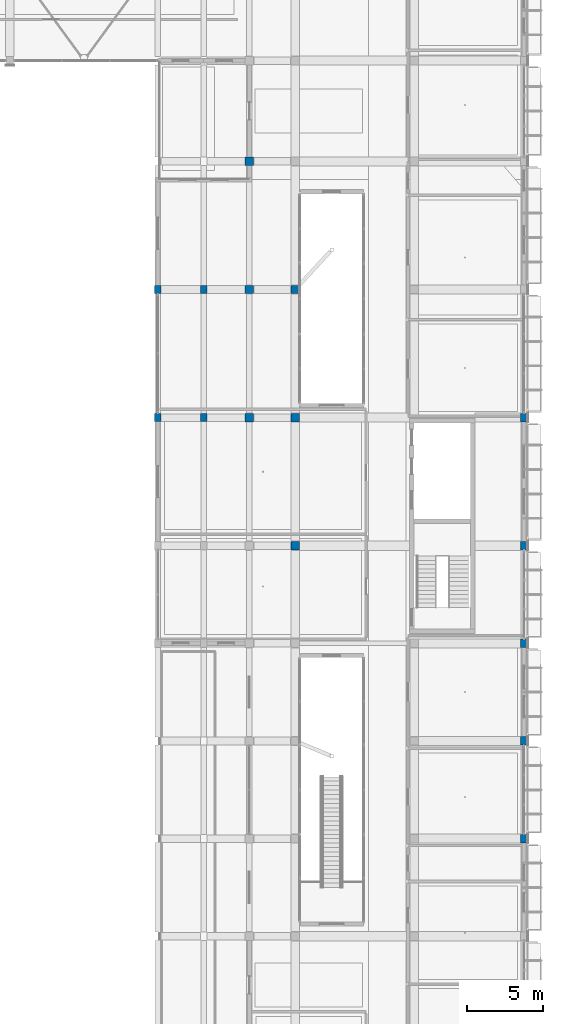
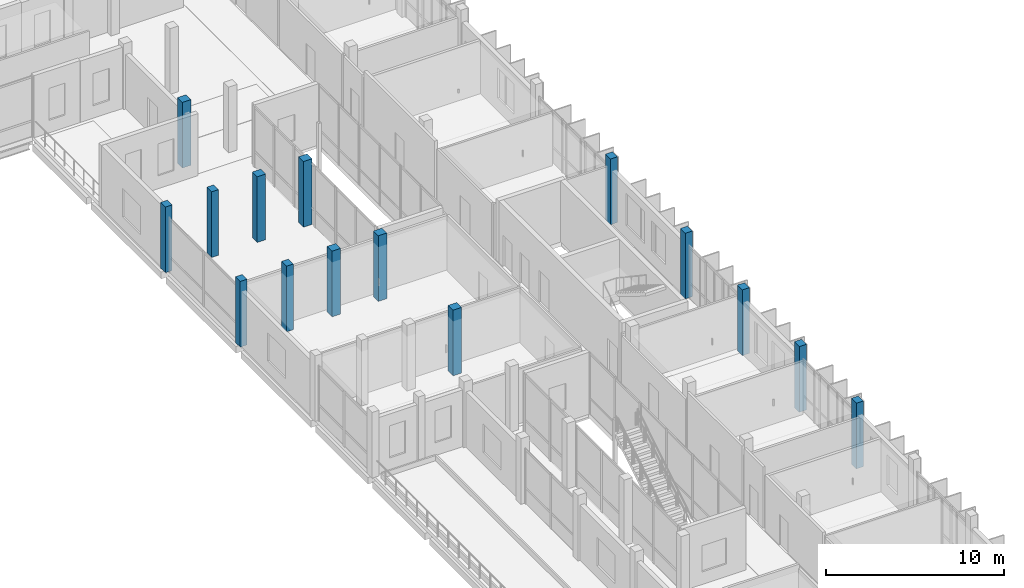
# One storey, part 15 of 95: 15 columns.
"""IFC4 building model written with IfcOpenShell, lengths in metres."""

import ifcopenshell
import ifcopenshell.guid

model = None  # the IFC model being written
_history = None  # IfcOwnerHistory: only IFC2X3 demands one
_inside = {}  # id of a spatial element -> (the spatial element, [elements in it])
_under = {}  # id of a project, library or spatial element -> (it, [spatial elements below it])
_declared = {}  # id of a project -> (the project, [libraries it declares])
_typed = {}  # id of a type object -> (the type object, [elements of that type])
_made_of = {}  # id of a material, layer set ... -> (it, [elements and type objects made of it])


def new_model(schema):
    """Start an empty IFC model of exactly this schema.

    Asked for "IFC4X3", IfcOpenShell would pick the latest addendum, in which some entities
    have other attributes; the version numbers below select the first issue.
    IFC2X3 requires an IfcOwnerHistory on every rooted entity: one is made here for all.
    """
    global model, _history
    if schema == "IFC4X3":
        model = ifcopenshell.file(schema_version=(4, 3, 0, 0))
    else:
        model = ifcopenshell.file(schema=schema)
    _inside.clear()
    _under.clear()
    _declared.clear()
    _typed.clear()
    _made_of.clear()
    _history = None
    if model.schema == "IFC2X3":
        org = make("IfcOrganization", Name="unknown")
        user = make(
            "IfcPersonAndOrganization",
            ThePerson=make("IfcPerson", FamilyName="unknown"),
            TheOrganization=org,
        )
        app = make(
            "IfcApplication",
            ApplicationDeveloper=org,
            Version="unknown",
            ApplicationFullName="unknown",
            ApplicationIdentifier="unknown",
        )
        _history = make(
            "IfcOwnerHistory",
            OwningUser=user,
            OwningApplication=app,
            ChangeAction="ADDED",
            CreationDate=0,
        )
    return model


def make(cls, **values):
    """One entity of the class cls with the attributes given. An attribute that is None is left unset."""
    return model.create_entity(
        cls, **{name: value for name, value in values.items() if value is not None}
    )


def rooted(cls, **values):
    """An entity with a GlobalId (a new one), such as an element, a storey or a relation."""
    return make(cls, GlobalId=ifcopenshell.guid.new(), OwnerHistory=_history, **values)


def si_unit(unit_type, name, prefix=None):
    """IfcSIUnit, for example si_unit("LENGTHUNIT", "METRE", prefix="MILLI")."""
    return make("IfcSIUnit", UnitType=unit_type, Prefix=prefix, Name=name)


def derived_unit(unit_type, elements):
    """IfcDerivedUnit: a product of units, each with its exponent."""
    return make(
        "IfcDerivedUnit",
        Elements=[
            make("IfcDerivedUnitElement", Unit=unit, Exponent=power)
            for unit, power in elements
        ],
        UnitType=unit_type,
    )


def assignment(units):
    """IfcUnitAssignment: the units of a project."""
    return None if units is None else make("IfcUnitAssignment", Units=units)


def point(xyz):
    """IfcCartesianPoint."""
    return None if xyz is None else make("IfcCartesianPoint", Coordinates=xyz)


def direction(xyz):
    """IfcDirection."""
    return None if xyz is None else make("IfcDirection", DirectionRatios=xyz)


def frame(location, z_axis=None, x_axis=None):
    """IfcAxis2Placement3D, a coordinate frame: its origin and axes. An axis left out is left unset."""
    return make(
        "IfcAxis2Placement3D",
        Location=point(location),
        Axis=direction(z_axis),
        RefDirection=direction(x_axis),
    )


def frame_2d(location, x_axis=None):
    """IfcAxis2Placement2D, a coordinate frame in the plane: its origin and x axis."""
    return make(
        "IfcAxis2Placement2D", Location=point(location), RefDirection=direction(x_axis)
    )


def origin():
    """The frame at (0, 0, 0) with its axes left unset."""
    return frame((0.0, 0.0, 0.0))


def origin_2d():
    """The frame at (0, 0) in the plane with its x axis left unset."""
    return frame_2d((0.0, 0.0))


def place(relative_to, where):
    """IfcLocalPlacement: puts the frame where relative to a parent placement (None: the world)."""
    return make(
        "IfcLocalPlacement", PlacementRelTo=relative_to, RelativePlacement=where
    )


def context(
    kind, dimensions, precision=None, world=None, true_north=None, identifier=None
):
    """IfcGeometricRepresentationContext, for example the 3D "Model" context."""
    return make(
        "IfcGeometricRepresentationContext",
        ContextIdentifier=identifier,
        ContextType=kind,
        CoordinateSpaceDimension=dimensions,
        Precision=precision,
        WorldCoordinateSystem=world,
        TrueNorth=true_north,
    )


def subcontext(parent, identifier, kind, view, scale=None):
    """IfcGeometricRepresentationSubContext, for example "Body" below "Model"."""
    return make(
        "IfcGeometricRepresentationSubContext",
        ContextIdentifier=identifier,
        ContextType=kind,
        ParentContext=parent,
        TargetScale=scale,
        TargetView=view,
    )


def project(units=None, contexts=None):
    """IfcProject with its units and contexts."""
    return rooted(
        "IfcProject",
        Name="project",
        RepresentationContexts=contexts,
        UnitsInContext=assignment(units),
    )


def spatial(cls, under=None, at=None, **own):
    """A site, building, storey or space (cls), placed at a placement, below another one or the project."""
    s = rooted(cls, ObjectPlacement=at, **own)
    if under is not None:
        _under.setdefault(under.id(), (under, []))[1].append(s)
    return s


def profile(cls, at=None, kind="AREA", **sizes):
    """A parametric profile (cls). Its sizes go by their IFC names, for example OverallWidth=200.0."""
    return make(cls, ProfileType=kind, Position=at, **sizes)


def rectangle(**sizes):
    """IfcRectangleProfileDef."""
    return profile("IfcRectangleProfileDef", **sizes)


def extrude(swept, where, along, depth):
    """IfcExtrudedAreaSolid: the profile swept, set in the frame where, extruded along a direction by depth."""
    return make(
        "IfcExtrudedAreaSolid",
        SweptArea=swept,
        Position=where,
        ExtrudedDirection=direction(along),
        Depth=depth,
    )


def shape(context_of_items, identifier, shape_type, items):
    """IfcShapeRepresentation: the items that make up one representation, for example the "Body"."""
    return make(
        "IfcShapeRepresentation",
        ContextOfItems=context_of_items,
        RepresentationIdentifier=identifier,
        RepresentationType=shape_type,
        Items=items,
    )


def material(Name=None, Category=None):
    """IfcMaterial."""
    return make("IfcMaterial", Name=Name, Category=Category)


def material_profile(
    of_material, cross_section, Name=None, Category=None, Priority=None
):
    """IfcMaterialProfile: a cross section and its material."""
    return make(
        "IfcMaterialProfile",
        Name=Name,
        Material=of_material,
        Profile=cross_section,
        Priority=Priority,
        Category=Category,
    )


def profile_set(profiles, Name=None, composite=None):
    """IfcMaterialProfileSet."""
    return make(
        "IfcMaterialProfileSet",
        Name=Name,
        MaterialProfiles=profiles,
        CompositeProfile=composite,
    )


def made_of(thing, what):
    """Note that an element or type object is made of a material, layer set ...; save() writes the relation."""
    if what is not None:
        _made_of.setdefault(what.id(), (what, []))[1].append(thing)
    return thing


def type_object(cls, material=None, **own):
    """A type object (cls), such as IfcWallType, which elements share."""
    return made_of(rooted(cls, **own), material)


def element(
    cls,
    number,
    at=None,
    inside=None,
    cuts=None,
    type_object=None,
    material=None,
    context=None,
    identifier="Body",
    shape_type=None,
    held_by="IfcProductDefinitionShape",
    body=None,
    shapes=None,
    **own,
):
    """One element of the class cls, such as IfcWall. Its Tag is "e" and its number.

    at: its placement. inside: the storey or other place that contains it. cuts: it is an
    opening in that element (IfcRelVoidsElement). A single representation is given by context,
    identifier, shape_type and body (its items); several are given by shapes. held_by: the class
    of the entity that holds the representations. save() writes the other relations.
    """
    e = rooted(cls, Tag="e%d" % number, ObjectPlacement=at, **own)
    if body is not None:
        shapes = [shape(context, identifier, shape_type, body)]
    if shapes is not None:
        e.Representation = make(held_by, Representations=shapes)
    if inside is not None:
        _inside.setdefault(inside.id(), (inside, []))[1].append(e)
    if cuts is not None:
        rooted(
            "IfcRelVoidsElement", RelatingBuildingElement=cuts, RelatedOpeningElement=e
        )
    if type_object is not None:
        _typed.setdefault(type_object.id(), (type_object, []))[1].append(e)
    return made_of(e, material)


def aggregate(whole, parts):
    """IfcRelAggregates: a whole, such as a stair, and the parts it consists of."""
    return rooted("IfcRelAggregates", RelatingObject=whole, RelatedObjects=parts)


def save(model, path):
    """Write the relations noted so far, then the file.

    IfcRelAggregates (storeys below a building ...), IfcRelContainedInSpatialStructure (elements
    in a storey), IfcRelDefinesByType, IfcRelAssociatesMaterial and IfcRelDeclares: one each for
    every whole, place, type object, material and project.
    """
    for whole, parts in _under.values():
        aggregate(whole, parts)
    for where, things in _inside.values():
        rooted(
            "IfcRelContainedInSpatialStructure",
            RelatedElements=things,
            RelatingStructure=where,
        )
    for kind, things in _typed.values():
        rooted("IfcRelDefinesByType", RelatedObjects=things, RelatingType=kind)
    for what, things in _made_of.values():
        rooted("IfcRelAssociatesMaterial", RelatedObjects=things, RelatingMaterial=what)
    for by, libraries in _declared.values():
        rooted("IfcRelDeclares", RelatingContext=by, RelatedDefinitions=libraries)
    model.write(path)


model = new_model("IFC4")

# Units and contexts
model_context = context("Model", 3, precision=1e-05, world=origin(), true_north=direction((0.0, 1.0)))
body_context = subcontext(model_context, "Body", "Model", "MODEL_VIEW")
ifc_project = project(units=[si_unit("LENGTHUNIT", "METRE"), si_unit("AREAUNIT", "SQUARE_METRE"), si_unit("VOLUMEUNIT", "CUBIC_METRE"), si_unit("PLANEANGLEUNIT", "RADIAN"), si_unit("MASSUNIT", "GRAM", prefix="KILO"), derived_unit("THERMALTRANSMITTANCEUNIT", [(si_unit("POWERUNIT", "WATT"), 1), (si_unit("LENGTHUNIT", "METRE"), -2), (si_unit("THERMODYNAMICTEMPERATUREUNIT", "KELVIN"), -1)])], contexts=[model_context])

# Site, building, storey
site_placement = place(None, origin())
site = spatial("IfcSite", under=ifc_project, at=site_placement, CompositionType="ELEMENT")
building_placement = place(site_placement, origin())
building = spatial("IfcBuilding", under=site, at=building_placement, Name="Braskholm Square Health Centre", CompositionType="ELEMENT")
storey_placement = place(building_placement, frame((0.0, 0.0, 4.800048828125)))
storey = spatial("IfcBuildingStorey", under=building, at=storey_placement, Name="L02", CompositionType="ELEMENT", Elevation=4.800048828125)

# Columns
ifc_material_1 = material(Name="Concrete C40/50 (f'c = 40 MPa)", Category="concrete")
ifc_material_profile_1 = material_profile(ifc_material_1, rectangle(XDim=0.550048828125, YDim=0.550048828125, at=origin_2d()), Name="RC-550X550")
ifc_profile_set_1 = profile_set([ifc_material_profile_1], Name="Concrete C40/50 (f'c = 40 MPa)")
column_type_1 = type_object("IfcColumnType", Name="ColInteriorMid550", PredefinedType="COLUMN", material=ifc_profile_set_1)
for number, where, z_axis, x_axis, name in (
    (1, (145.800048828125, 63.800048828125, 0.0), (0.0, 0.0, 1.0), (1.0, 0.0, 0.0), "Column 19/K L02"),
    (2, (145.800048828125, 72.199951171875, 0.0), (0.0, 0.0, 1.0), (1.0, 0.0, 0.0), "Column 19/L L02"),
    (3, (145.800048828125, 80.60009765625, 0.0), (0.0, 0.0, 1.0), (1.0, 0.0, 0.0), "Column 19/M L02"),
    (4, (148.800048828125, 55.39990234375, 0.0), (0.0, 0.0, 1.0), (1.0, 0.0, 0.0), "Column 20/J L02"),
    (5, (148.800048828125, 63.800048828125, 0.0), (0.0, 0.0, 1.0), (1.0, 0.0, 0.0), "Column 20/K L02"),
    (6, (148.800048828125, 72.199951171875, 0.0), (0.0, 0.0, 1.0), (1.0, 0.0, 0.0), "Column 20/L L02"),
):
    element("IfcColumn", number, at=place(storey_placement, frame(where, z_axis=z_axis, x_axis=x_axis)), inside=storey, type_object=column_type_1, Name=name, PredefinedType="COLUMN", context=body_context, shape_type="SweptSolid", body=[
        extrude(rectangle(XDim=0.550048828125, YDim=0.550048828125, at=origin_2d()), origin(), (0.0, 0.0, 1.0), 4.5),
    ])
ifc_material_2 = material(Name="Precast concrete C40/50 architectural white", Category="concrete")
ifc_material_profile_2 = material_profile(ifc_material_2, rectangle(XDim=0.43994140625, YDim=0.5400390625, at=origin_2d()), Name="RC-440X540")
ifc_profile_set_2 = profile_set([ifc_material_profile_2], Name="Precast concrete C40/50 architectural white")
column_type_2 = type_object("IfcColumnType", Name="ColPilasterKasota440x540", PredefinedType="PILASTER", material=ifc_profile_set_2)
for number, where, z_axis, x_axis, name in (
    (7, (139.800048828125, 63.800048828125, 0.0), (0.0, 0.0, 1.0), (1.0, 0.0, 0.0), "Column 17/K L02"),
    (8, (139.800048828125, 72.199951171875, 0.0), (0.0, 0.0, 1.0), (1.0, 0.0, 0.0), "Column 17/L L02"),
    (9, (142.800048828125, 63.800048828125, 0.0), (0.0, 0.0, 1.0), (1.0, 0.0, 0.0), "Column 18/K L02"),
    (10, (142.800048828125, 72.199951171875, 0.0), (0.0, 0.0, 1.0), (1.0, 0.0, 0.0), "Column 18/L L02"),
):
    element("IfcColumn", number, at=place(storey_placement, frame(where, z_axis=z_axis, x_axis=x_axis)), inside=storey, type_object=column_type_2, Name=name, PredefinedType="PILASTER", context=body_context, shape_type="SweptSolid", body=[
        extrude(rectangle(XDim=0.43994140625, YDim=0.5400390625, at=origin_2d()), origin(), (0.0, 0.0, 1.0), 4.5),
    ])
ifc_material_profile_3 = material_profile(ifc_material_2, rectangle(XDim=0.4599609375, YDim=0.56005859375, at=origin_2d()), Name="RC-460X560")
ifc_profile_set_3 = profile_set([ifc_material_profile_3], Name="Precast concrete C40/50 architectural white")
column_type_3 = type_object("IfcColumnType", Name="ColPrecastFrame460x560", PredefinedType="COLUMN", material=ifc_profile_set_3)
for number, where, z_axis, x_axis, name in (
    (11, (163.800048828125, 36.199951171875, 0.0), (0.0, 0.0, 1.0), (1.0, 0.0, 0.0), "Column 22/F L02"),
    (12, (163.800048828125, 42.60009765625, 0.0), (0.0, 0.0, 1.0), (1.0, 0.0, 0.0), "Column 22/G L02"),
    (13, (163.800048828125, 49.0, 0.0), (0.0, 0.0, 1.0), (1.0, 0.0, 0.0), "Column 22/H L02"),
    (14, (163.800048828125, 55.39990234375, 0.0), (0.0, 0.0, 1.0), (1.0, 0.0, 0.0), "Column 22/J L02"),
    (15, (163.800048828125, 63.800048828125, 0.0), (0.0, 0.0, 1.0), (1.0, 0.0, 0.0), "Column 22/K L02"),
):
    element("IfcColumn", number, at=place(storey_placement, frame(where, z_axis=z_axis, x_axis=x_axis)), inside=storey, type_object=column_type_3, Name=name, PredefinedType="COLUMN", context=body_context, shape_type="SweptSolid", body=[
        extrude(rectangle(XDim=0.4599609375, YDim=0.56005859375, at=origin_2d()), origin(), (0.0, 0.0, 1.0), 4.5),
    ])

save(model, "model.ifc")
